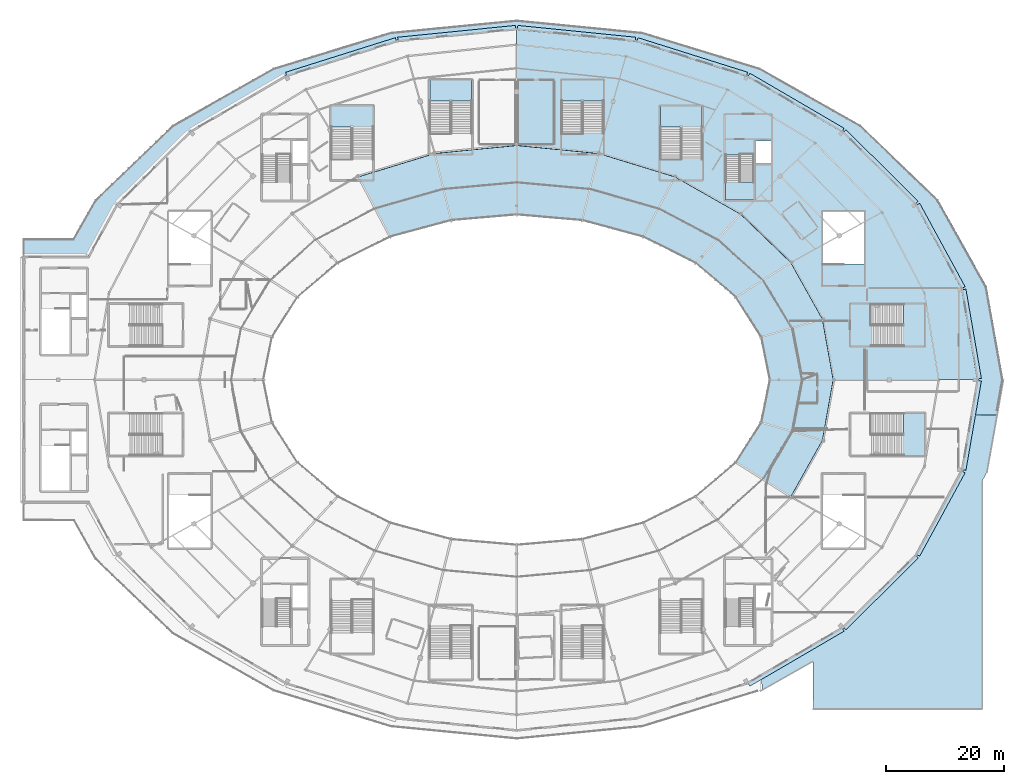
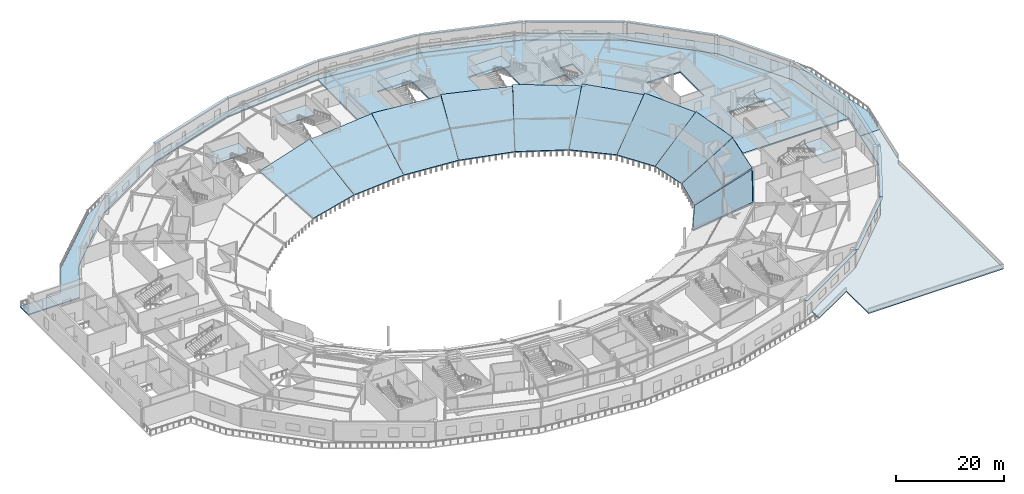
# One storey, part 17 of 63: 20 slabs, 12 plates, 7 elements without a shape of their own.
"""IFC4 building model written with IfcOpenShell, lengths in metres."""

from ifc_helpers import new_model, si_unit, direction, frame, origin, origin_2d, place, context, subcontext, project, spatial, polyline, rectangle, outline, extrude, material, layer, layer_set, type_object, element, aggregate, save


model = new_model("IFC4")

# Units and contexts
model_context = context("Model", 3, precision=1e-05, world=origin(), true_north=direction((0.0, 1.0)))
body_context = subcontext(model_context, "Body", "Model", "MODEL_VIEW")
ifc_project = project(units=[si_unit("LENGTHUNIT", "METRE"), si_unit("AREAUNIT", "SQUARE_METRE"), si_unit("VOLUMEUNIT", "CUBIC_METRE"), si_unit("PLANEANGLEUNIT", "RADIAN"), si_unit("MASSUNIT", "GRAM", prefix="KILO")], contexts=[model_context])

# Site, building, storey
site_placement = place(None, origin())
site = spatial("IfcSite", under=ifc_project, at=site_placement, CompositionType="ELEMENT")
building_placement = place(site_placement, origin())
building = spatial("IfcBuilding", under=site, at=building_placement, Name="Kalgoora Escarpment Arena", CompositionType="ELEMENT")
storey_placement = place(building_placement, frame((0.0, 0.0, 14.39990234375)))
storey = spatial("IfcBuildingStorey", under=building, at=storey_placement, Name="L03", CompositionType="ELEMENT", Elevation=14.39990234375)

# Plates
ifc_material_1 = material(Name="Champagne anodised Art Deco solar brise-soleil hood", Category="aluminium")
ifc_layer_1 = layer(ifc_material_1, 0.1201171875)
ifc_layer_set_1 = layer_set([ifc_layer_1], Name="PLT-DECO-EYEBROW")
plate_type = type_object("IfcPlateType", Name="PLT-DECO-EYEBROW", PredefinedType="SHEET", material=ifc_layer_set_1)
plate_1_placement = place(storey_placement, frame((62.537841796875, 118.904052734375, 3.97998046875), z_axis=(0.0, 0.0, 1.0), x_axis=(0.953769419285, 0.300539339916, 0.0)))
element("IfcPlate", 1, at=plate_1_placement, inside=storey, type_object=plate_type, Name="L03 Art Deco horizontal solar brise-soleil eyebrow 058", PredefinedType="SHEET", context=body_context, shape_type="SweptSolid", body=[
    extrude(rectangle(XDim=19.575927734375, YDim=0.719970703125, at=origin_2d()), origin(), (0.0, 0.0, 1.0), 0.1201171875),
])
for number, where, z_axis, x_axis, name in (
    (2, (82.21484375, 122.91552734375, 3.97998046875), (0.0, 0.0, 1.0), (0.995020840207, 0.099667083604, 0.0), "L03 Art Deco horizontal solar brise-soleil eyebrow 059"),
    (3, (102.585205078125, 122.91552734375, 3.97998046875), (0.0, 0.0, 1.0), (0.995020840207, -0.099667083604, 0.0), "L03 Art Deco horizontal solar brise-soleil eyebrow 060"),
):
    element("IfcPlate", number, at=place(storey_placement, frame(where, z_axis=z_axis, x_axis=x_axis)), inside=storey, type_object=plate_type, Name=name, PredefinedType="SHEET", context=body_context, shape_type="SweptSolid", body=[
        extrude(rectangle(XDim=20.14501953125, YDim=0.719970703125, at=origin_2d()), origin(), (0.0, 0.0, 1.0), 0.1201171875),
    ])
plate_2_placement = place(storey_placement, frame((122.26220703125, 118.904052734375, 3.97998046875), z_axis=(0.0, 0.0, 1.0), x_axis=(0.953769419285, -0.300539339916, 0.0)))
element("IfcPlate", 4, at=plate_2_placement, inside=storey, type_object=plate_type, Name="L03 Art Deco horizontal solar brise-soleil eyebrow 061", PredefinedType="SHEET", context=body_context, shape_type="SweptSolid", body=[
    extrude(rectangle(XDim=19.575927734375, YDim=0.719970703125, at=origin_2d()), origin(), (0.0, 0.0, 1.0), 0.1201171875),
])
plate_3_placement = place(storey_placement, frame((139.907470703125, 111.1533203125, 3.97998046875), z_axis=(0.0, 0.0, 1.0), x_axis=(0.863571611366, -0.504226211181, 0.0)))
element("IfcPlate", 5, at=plate_3_placement, inside=storey, type_object=plate_type, Name="L03 Art Deco horizontal solar brise-soleil eyebrow 062", PredefinedType="SHEET", context=body_context, shape_type="SweptSolid", body=[
    extrude(rectangle(XDim=18.550048828125, YDim=0.719970703125, at=origin_2d()), origin(), (0.0, 0.0, 1.0), 0.1201171875),
])
plate_4_placement = place(storey_placement, frame((154.319091796875, 100.1884765625, 3.97998046875), z_axis=(0.0, 0.0, 1.0), x_axis=(0.710062491058, -0.704138664464, 0.0)))
element("IfcPlate", 6, at=plate_4_placement, inside=storey, type_object=plate_type, Name="L03 Art Deco horizontal solar brise-soleil eyebrow 063", PredefinedType="SHEET", context=body_context, shape_type="SweptSolid", body=[
    extrude(rectangle(XDim=17.2900390625, YDim=0.719970703125, at=origin_2d()), origin(), (0.0, 0.0, 1.0), 0.1201171875),
])
plate_5_placement = place(storey_placement, frame((164.514404296875, 86.753173828125, 3.97998046875), z_axis=(0.0, 0.0, 1.0), x_axis=(0.478232081533, -0.878233497535, 0.0)))
element("IfcPlate", 7, at=plate_5_placement, inside=storey, type_object=plate_type, Name="L03 Art Deco horizontal solar brise-soleil eyebrow 064", PredefinedType="SHEET", context=body_context, shape_type="SweptSolid", body=[
    extrude(rectangle(XDim=16.1220703125, YDim=0.719970703125, at=origin_2d()), origin(), (0.0, 0.0, 1.0), 0.1201171875),
])
for number, where, z_axis, x_axis, name in (
    (8, (169.7939453125, 71.76171875, 3.97998046875), (0.0, 0.0, 1.0), (0.170553461035, -0.985348424127, 0.0), "L03 Art Deco horizontal solar brise-soleil eyebrow 065"),
    (9, (169.7939453125, 56.23828125, 3.97998046875), (0.0, 0.0, 1.0), (-0.170553461035, -0.985348424127, 0.0), "L03 Art Deco horizontal solar brise-soleil eyebrow 066"),
):
    element("IfcPlate", number, at=place(storey_placement, frame(where, z_axis=z_axis, x_axis=x_axis)), inside=storey, type_object=plate_type, Name=name, PredefinedType="SHEET", context=body_context, shape_type="SweptSolid", body=[
        extrude(rectangle(XDim=15.406982421875, YDim=0.719970703125, at=origin_2d()), origin(), (0.0, 0.0, 1.0), 0.1201171875),
    ])
plate_6_placement = place(storey_placement, frame((164.514404296875, 41.246826171875, 3.97998046875), z_axis=(0.0, 0.0, 1.0), x_axis=(-0.478232081533, -0.878233497535, 0.0)))
element("IfcPlate", 10, at=plate_6_placement, inside=storey, type_object=plate_type, Name="L03 Art Deco horizontal solar brise-soleil eyebrow 067", PredefinedType="SHEET", context=body_context, shape_type="SweptSolid", body=[
    extrude(rectangle(XDim=16.1220703125, YDim=0.719970703125, at=origin_2d()), origin(), (0.0, 0.0, 1.0), 0.1201171875),
])
plate_7_placement = place(storey_placement, frame((154.319091796875, 27.8115234375, 3.97998046875), z_axis=(0.0, 0.0, 1.0), x_axis=(-0.710062491058, -0.704138664464, 0.0)))
element("IfcPlate", 11, at=plate_7_placement, inside=storey, type_object=plate_type, Name="L03 Art Deco horizontal solar brise-soleil eyebrow 068", PredefinedType="SHEET", context=body_context, shape_type="SweptSolid", body=[
    extrude(rectangle(XDim=17.2900390625, YDim=0.719970703125, at=origin_2d()), origin(), (0.0, 0.0, 1.0), 0.1201171875),
])
plate_8_placement = place(storey_placement, frame((139.907470703125, 16.8466796875, 3.97998046875), z_axis=(0.0, 0.0, 1.0), x_axis=(-0.863571611366, -0.504226211181, 0.0)))
element("IfcPlate", 12, at=plate_8_placement, inside=storey, type_object=plate_type, Name="L03 Art Deco horizontal solar brise-soleil eyebrow 069", PredefinedType="SHEET", context=body_context, shape_type="SweptSolid", body=[
    extrude(rectangle(XDim=18.550048828125, YDim=0.719970703125, at=origin_2d()), origin(), (0.0, 0.0, 1.0), 0.1201171875),
])

# Slab
ifc_material_2 = material(Name="Concrete N40 (fc' 40 MPa)", Category="concrete")
ifc_layer_2 = layer(ifc_material_2, 0.239990234375)
ifc_layer_set_2 = layer_set([ifc_layer_2], Name="SLB-ROOF-240")
slab_type_1 = type_object("IfcSlabType", Name="SLB-ROOF-240", PredefinedType="ROOF", material=ifc_layer_set_2)
slab_1_placement = place(storey_placement, frame((0.0, 0.0, -0.239990234375)))
element("IfcSlab", 13, at=slab_1_placement, inside=storey, type_object=slab_type_1, Name="L03 stepped podium roof slab 1", PredefinedType="ROOF", context=body_context, shape_type="SweptSolid", body=[
    extrude(outline(polyline([(134.1494140625, 11.197265625), (134.0341796875, 13.572265625), (147.978515625, 21.715087890625), (160.469482421875, 34.10009765625), (168.32177734375, 48.522705078125), (169.956787109375, 57.9453125), (174.07470703125, 57.977783203125), (172.381591796875, 48.177001953125), (171.60009765625, 46.768310546875), (171.577392578125, 8.03662109375), (142.87109375, 8.00439453125), (142.7998046875, 16.103515625), (134.1494140625, 11.197265625)])), origin(), (0.0, 0.0, 1.0), 0.239990234375),
])

# Stair, slab
ifc_material_3 = material(Name="Concrete N40 (fc' 40 MPa)", Category="concrete")
stair_type_1 = type_object("IfcStairType", Name="STR-EXIT-4", PredefinedType="HALF_TURN_STAIR", material=ifc_material_3)
stair_1_placement = place(storey_placement, origin())
stair_1 = element("IfcStair", 14, at=stair_1_placement, inside=storey, type_object=stair_type_1, Name="Fire-isolated exit stair ST04 (L03)", PredefinedType="HALF_TURN_STAIR")
ifc_material_4 = material(Name="Concrete N40 (fc' 40 MPa)", Category="concrete")
ifc_layer_3 = layer(ifc_material_4, 0.219970703125)
ifc_layer_set_3 = layer_set([ifc_layer_3], Name="SLB-ST-LAND-220")
slab_type_2 = type_object("IfcSlabType", Name="SLB-ST-LAND-220", PredefinedType="LANDING", material=ifc_layer_set_3)
slab_2_placement = place(storey_placement, frame((0.0, 0.0, 2.030029296875)))
slab_2 = element("IfcSlab", 15, at=slab_2_placement, type_object=slab_type_2, Name="ST04 L03 half-landing", PredefinedType="LANDING", context=body_context, shape_type="SweptSolid", body=[
    extrude(outline(polyline([(132.75, 97.639892578125), (132.75, 94.550048828125), (127.949951171875, 94.550048828125), (127.949951171875, 97.639892578125), (132.75, 97.639892578125)])), origin(), (0.0, 0.0, 1.0), 0.219970703125),
])
aggregate(stair_1, [slab_2])

ifc_material_5 = material(Name="Precast concrete N50 (fc' 50 MPa)", Category="concrete")
stair_type_2 = type_object("IfcStairType", Name="STR-STAD-1", PredefinedType="HALF_TURN_STAIR", material=ifc_material_5)
stair_2_placement = place(storey_placement, origin())
stair_2 = element("IfcStair", 16, at=stair_2_placement, inside=storey, type_object=stair_type_2, Name="Fire-isolated exit stair ST09 (L03)", PredefinedType="HALF_TURN_STAIR")
slab_3_placement = place(storey_placement, frame((0.0, 0.0, 2.030029296875)))
slab_3 = element("IfcSlab", 17, at=slab_3_placement, type_object=slab_type_2, Name="ST09 L03 half-landing", PredefinedType="LANDING", context=body_context, shape_type="SweptSolid", body=[
    extrude(outline(polyline([(60.85009765625, 107.0), (60.85009765625, 110.550048828125), (67.949951171875, 110.550048828125), (67.949951171875, 107.0), (60.85009765625, 107.0)])), origin(), (0.0, 0.0, 1.0), 0.219970703125),
])
aggregate(stair_2, [slab_3])

ifc_material_6 = material(Name="Precast concrete N50 (fc' 50 MPa)", Category="concrete")
stair_type_3 = type_object("IfcStairType", Name="STR-STAD-2", PredefinedType="HALF_TURN_STAIR", material=ifc_material_6)
stair_3_placement = place(storey_placement, origin())
stair_3 = element("IfcStair", 18, at=stair_3_placement, inside=storey, type_object=stair_type_3, Name="Fire-isolated exit stair ST10 (L03)", PredefinedType="HALF_TURN_STAIR")
slab_4_placement = place(storey_placement, frame((0.0, 0.0, 2.030029296875)))
slab_4 = element("IfcSlab", 19, at=slab_4_placement, type_object=slab_type_2, Name="ST10 L03 half-landing", PredefinedType="LANDING", context=body_context, shape_type="SweptSolid", body=[
    extrude(outline(polyline([(77.64990234375, 111.39990234375), (77.64990234375, 114.949951171875), (84.75, 114.949951171875), (84.75, 111.39990234375), (77.64990234375, 111.39990234375)])), origin(), (0.0, 0.0, 1.0), 0.219970703125),
])
aggregate(stair_3, [slab_4])

ifc_material_7 = material(Name="Precast concrete N50 (fc' 50 MPa)", Category="concrete")
stair_type_4 = type_object("IfcStairType", Name="STR-STAD-3", PredefinedType="HALF_TURN_STAIR", material=ifc_material_7)
stair_4_placement = place(storey_placement, origin())
stair_4 = element("IfcStair", 20, at=stair_4_placement, inside=storey, type_object=stair_type_4, Name="Fire-isolated exit stair ST11 (L03)", PredefinedType="HALF_TURN_STAIR")
slab_5_placement = place(storey_placement, frame((0.0, 0.0, 2.030029296875)))
slab_5 = element("IfcSlab", 21, at=slab_5_placement, type_object=slab_type_2, Name="ST11 L03 half-landing", PredefinedType="LANDING", context=body_context, shape_type="SweptSolid", body=[
    extrude(outline(polyline([(100.050048828125, 111.39990234375), (100.050048828125, 114.949951171875), (107.14990234375, 114.949951171875), (107.14990234375, 111.39990234375), (100.050048828125, 111.39990234375)])), origin(), (0.0, 0.0, 1.0), 0.219970703125),
])
aggregate(stair_4, [slab_5])

ifc_material_8 = material(Name="Precast concrete N50 (fc' 50 MPa)", Category="concrete")
stair_type_5 = type_object("IfcStairType", Name="STR-STAD-4", PredefinedType="HALF_TURN_STAIR", material=ifc_material_8)
stair_5_placement = place(storey_placement, origin())
stair_5 = element("IfcStair", 22, at=stair_5_placement, inside=storey, type_object=stair_type_5, Name="Fire-isolated exit stair ST12 (L03)", PredefinedType="HALF_TURN_STAIR")
slab_6_placement = place(storey_placement, frame((0.0, 0.0, 2.030029296875)))
slab_6 = element("IfcSlab", 23, at=slab_6_placement, type_object=slab_type_2, Name="ST12 L03 half-landing", PredefinedType="LANDING", context=body_context, shape_type="SweptSolid", body=[
    extrude(outline(polyline([(116.85009765625, 107.0), (116.85009765625, 110.550048828125), (123.949951171875, 110.550048828125), (123.949951171875, 107.0), (116.85009765625, 107.0)])), origin(), (0.0, 0.0, 1.0), 0.219970703125),
])
aggregate(stair_5, [slab_6])

stair_6_placement = place(storey_placement, origin())
stair_6 = element("IfcStair", 24, at=stair_6_placement, inside=storey, type_object=stair_type_2, Name="Fire-isolated exit stair ST21 (L03)", PredefinedType="HALF_TURN_STAIR")
slab_7_placement = place(storey_placement, frame((0.0, 0.0, 2.030029296875)))
slab_7 = element("IfcSlab", 25, at=slab_7_placement, type_object=slab_type_2, Name="ST21 L03 half-landing", PredefinedType="LANDING", context=body_context, shape_type="SweptSolid", body=[
    extrude(outline(polyline([(158.199951171875, 76.85009765625), (161.75, 76.85009765625), (161.75, 69.75), (158.199951171875, 69.75), (158.199951171875, 76.85009765625)])), origin(), (0.0, 0.0, 1.0), 0.219970703125),
])
aggregate(stair_6, [slab_7])

stair_7_placement = place(storey_placement, origin())
stair_7 = element("IfcStair", 26, at=stair_7_placement, inside=storey, type_object=stair_type_3, Name="Fire-isolated exit stair ST22 (L03)", PredefinedType="HALF_TURN_STAIR")
slab_8_placement = place(storey_placement, frame((0.0, 0.0, 2.030029296875)))
slab_8 = element("IfcSlab", 27, at=slab_8_placement, type_object=slab_type_2, Name="ST22 L03 half-landing", PredefinedType="LANDING", context=body_context, shape_type="SweptSolid", body=[
    extrude(outline(polyline([(158.199951171875, 58.25), (161.75, 58.25), (161.75, 51.14990234375), (158.199951171875, 51.14990234375), (158.199951171875, 58.25)])), origin(), (0.0, 0.0, 1.0), 0.219970703125),
])
aggregate(stair_7, [slab_8])

# Slabs
ifc_material_9 = material(Name="Concrete N40 (fc' 40 MPa)", Category="concrete")
ifc_layer_4 = layer(ifc_material_9, 0.235107421875)
ifc_layer_set_4 = layer_set([ifc_layer_4], Name="SLB-TERR-235")
slab_type_3 = type_object("IfcSlabType", Name="SLB-TERR-235", PredefinedType="FLOOR", material=ifc_layer_set_4)
slab_9_placement = place(storey_placement, frame((0.0, 0.0, -0.23486328125)))
element("IfcSlab", 28, at=slab_9_placement, inside=storey, type_object=slab_type_3, Name="L03 Upper Planted Elliptical Garden Terrace terrace slab", PredefinedType="FLOOR", context=body_context, shape_type="SweptSolid", body=[
    extrude(outline(polyline([(168.32177734375, 79.477294921875), (160.469482421875, 93.89990234375), (147.978515625, 106.284912109375), (131.699951171875, 115.788330078125), (112.7431640625, 121.762451171875), (92.39990234375, 123.800048828125), (72.056884765625, 121.762451171875), (53.10009765625, 115.788330078125), (36.8212890625, 106.284912109375), (24.330322265625, 93.89990234375), (19.48486328125, 85.0), (8.39990234375, 85.0), (8.39990234375, 88.0), (16.994384765625, 88.0), (20.693115234375, 94.60009765625), (33.8515625, 107.27490234375), (51.0, 117.000732421875), (70.9697265625, 123.11474609375), (92.39990234375, 125.199951171875), (113.830078125, 123.11474609375), (133.800048828125, 117.000732421875), (150.948486328125, 107.27490234375), (164.10693359375, 94.60009765625), (172.378662109375, 79.839599609375), (175.199951171875, 64.0), (174.13134765625, 58.0), (169.9619140625, 58.0), (171.0, 64.0), (168.32177734375, 79.477294921875)])), origin(), (0.0, 0.0, 1.0), 0.23486328125),
])
ifc_material_10 = material(Name="Precast concrete N50 (fc' 50 MPa)", Category="concrete")
ifc_layer_5 = layer(ifc_material_10, 0.330078125)
ifc_layer_set_5 = layer_set([ifc_layer_5], Name="SLB-TIER-UPP-A")
slab_type_4 = type_object("IfcSlabType", Name="SLB-TIER-UPP-A", PredefinedType="USERDEFINED", material=ifc_layer_set_5)
slab_10_placement = place(storey_placement, frame((135.39990234375, 64.0, -2.25), z_axis=(-0.518552545554, -0.104844261515, 0.848593505942), x_axis=(-0.198164910245, 0.980168693795, 7.240467e-06)))
element("IfcSlab", 29, at=slab_10_placement, inside=storey, type_object=slab_type_4, Name="Stand Upper Tier Sector 01", ObjectType="SEATING TIER", PredefinedType="USERDEFINED", context=body_context, shape_type="SweptSolid", body=[
    extrude(outline(polyline([(0.0, 0.0), (7.39344115339055, 0.0), (8.32299080358504, -12.821475327524292), (-2.1500606229834083, -12.5323757475681), (0.0, 0.0)])), origin(), (0.0, 0.0, -1.0), 0.330078125),
])
slab_11_placement = place(storey_placement, frame((129.63916015625, 78.0, -2.25), z_axis=(-0.343183615689, -0.404396181283, 0.847755114692), x_axis=(-0.762455788608, 0.647040315911, -2.007003e-06)))
element("IfcSlab", 30, at=slab_11_placement, inside=storey, type_object=slab_type_4, Name="Stand Upper Tier Sector 03", ObjectType="SEATING TIER", PredefinedType="USERDEFINED", context=body_context, shape_type="SweptSolid", body=[
    extrude(outline(polyline([(0.0, 0.0), (8.962472203850195, 4.440892098500626e-16), (8.534454414698997, -13.391710248469764), (-3.330485598997086, -12.500479320679283), (0.0, 0.0)])), origin(), (0.0, 0.0, -1.0), 0.330078125),
])
slab_12_placement = place(storey_placement, frame((113.89990234375, 88.248779296875, -2.25), z_axis=(-0.131606396069, -0.487922555052, 0.862908649154), x_axis=(-0.965497290115, 0.260413100203, -4.85978e-06)))
element("IfcSlab", 31, at=slab_12_placement, inside=storey, type_object=slab_type_4, Name="Stand Upper Tier Sector 05", ObjectType="SEATING TIER", PredefinedType="USERDEFINED", context=body_context, shape_type="SweptSolid", body=[
    extrude(outline(polyline([(0.0, 0.0), (10.741197943975278, 4.440892098500626e-16), (11.010709809742815, -13.65451367695202), (-2.5654890153233616, -13.119485411513963), (0.0, 0.0)])), origin(), (0.0, 0.0, -1.0), 0.330078125),
])
slab_13_placement = place(storey_placement, frame((92.39990234375, 92.0, -2.25), z_axis=(0.041820191517, -0.487842066085, 0.871929578658), x_axis=(-0.99634542413, -0.085415430755, -2.160451e-06)))
element("IfcSlab", 32, at=slab_13_placement, inside=storey, type_object=slab_type_4, Name="Stand Upper Tier Sector 07", ObjectType="SEATING TIER", PredefinedType="USERDEFINED", context=body_context, shape_type="SweptSolid", body=[
    extrude(outline(polyline([(0.0, 0.0), (11.169973062095876, 1.1102230246251565e-16), (12.990112258747489, -13.354633220979032), (-1.0121955198565427, -13.541006539620039), (0.0, 0.0)])), origin(), (0.0, 0.0, -1.0), 0.330078125),
])
slab_14_placement = place(storey_placement, frame((129.63916015625, 50.0, -2.25), z_axis=(-0.432440598542, 0.275074010018, 0.858678879294), x_axis=(0.536714026841, 0.843764216705, -7.82115e-07)))
element("IfcSlab", 33, at=slab_14_placement, inside=storey, type_object=slab_type_4, Name="Stand Upper Tier Sector 23", ObjectType="SEATING TIER", PredefinedType="USERDEFINED", context=body_context, shape_type="SweptSolid", body=[
    extrude(outline(polyline([(0.0, 0.0), (8.00362434095204, 0.0), (11.040561137826039, -12.21528952510442), (0.04374456444209946, -12.936467987257426), (0.0, 0.0)])), origin(), (0.0, 0.0, -1.0), 0.330078125),
])
ifc_material_11 = material(Name="Precast concrete N50 (fc' 50 MPa)", Category="concrete")
ifc_layer_6 = layer(ifc_material_11, 0.35009765625)
ifc_layer_set_6 = layer_set([ifc_layer_6], Name="SLB-TIER-UPP-B")
slab_type_5 = type_object("IfcSlabType", Name="SLB-TIER-UPP-B", PredefinedType="USERDEFINED", material=ifc_layer_set_6)
slab_15_placement = place(storey_placement, frame((133.934814453125, 71.246826171875, -2.25), z_axis=(-0.450831621018, -0.286780084675, 0.84528576974), x_axis=(-0.536716954789, 0.843762354223, 6.22823e-06)))
element("IfcSlab", 34, at=slab_15_placement, inside=storey, type_object=slab_type_5, Name="Stand Upper Tier Sector 02", ObjectType="SEATING TIER", PredefinedType="USERDEFINED", context=body_context, shape_type="SweptSolid", body=[
    extrude(outline(polyline([(0.0, 0.0), (8.0036243407381, 4.440892098500626e-16), (7.959879776722713, -13.141472212599913), (-3.0369367973830563, -12.408789054345238), (0.0, 0.0)])), origin(), (0.0, 0.0, -1.0), 0.35009765625),
])
slab_16_placement = place(storey_placement, frame((122.8056640625, 83.799072265625, -2.25), z_axis=(-0.231890423687, -0.464116875469, 0.854881487288), x_axis=(-0.894555216832, 0.446957452153, 1.997843e-06)))
element("IfcSlab", 35, at=slab_16_placement, inside=storey, type_object=slab_type_5, Name="Stand Upper Tier Sector 04", ObjectType="SEATING TIER", PredefinedType="USERDEFINED", context=body_context, shape_type="SweptSolid", body=[
    extrude(outline(polyline([(0.0, 0.0), (9.955525322883135, 8.881784197001252e-16), (9.689303571014797, -13.574851112684247), (-3.117997245649485, -12.779211633226485), (0.0, 0.0)])), origin(), (0.0, 0.0, -1.0), 0.35009765625),
])
slab_17_placement = place(storey_placement, frame((103.529296875, 91.0458984375, -2.25), z_axis=(-0.042262848742, -0.492993554132, 0.869005872938), x_axis=(-0.996345502679, 0.08541451452, 4.66985e-07)))
element("IfcSlab", 36, at=slab_17_placement, inside=storey, type_object=slab_type_5, Name="Stand Upper Tier Sector 06", ObjectType="SEATING TIER", PredefinedType="USERDEFINED", context=body_context, shape_type="SweptSolid", body=[
    extrude(outline(polyline([(0.0, 0.0), (11.170216310517281, -1.1102230246251565e-16), (12.182389788214078, -13.58655314527334), (-1.8201609353450428, -13.39957414285593), (0.0, 0.0)])), origin(), (0.0, 0.0, -1.0), 0.35009765625),
])
slab_18_placement = place(storey_placement, frame((81.270751953125, 91.0458984375, -2.25), z_axis=(0.127705893821, -0.473478719863, 0.87149819651), x_axis=(-0.965499070539, -0.260406499105, 3.426221e-06)))
element("IfcSlab", 37, at=slab_18_placement, inside=storey, type_object=slab_type_5, Name="Stand Upper Tier Sector 08", ObjectType="SEATING TIER", PredefinedType="USERDEFINED", context=body_context, shape_type="SweptSolid", body=[
    extrude(outline(polyline([(0.0, 0.0), (10.741433661543558, -4.440892098500626e-16), (13.306753965346726, -12.990074450815953), (-0.26944212617731655, -13.519947262446815), (0.0, 0.0)])), origin(), (0.0, 0.0, -1.0), 0.35009765625),
])
slab_19_placement = place(storey_placement, frame((133.934814453125, 56.753173828125, -2.25), z_axis=(-0.51004431471, 0.103125811532, 0.853943712447), x_axis=(0.198165665325, 0.980168541125, -8.67185e-06)))
element("IfcSlab", 38, at=slab_19_placement, inside=storey, type_object=slab_type_5, Name="Stand Upper Tier Sector 24", ObjectType="SEATING TIER", PredefinedType="USERDEFINED", context=body_context, shape_type="SweptSolid", body=[
    extrude(outline(polyline([(0.0, 0.0), (7.393441153278449, -2.220446049250313e-16), (9.543501776518662, -12.453848147486106), (-0.9295496504327888, -12.741152551938079), (0.0, 0.0)])), origin(), (0.0, 0.0, -1.0), 0.35009765625),
])
ifc_material_12 = material(Name="Concrete N40 (fc' 40 MPa)", Category="concrete")
ifc_layer_7 = layer(ifc_material_12, 0.300048828125)
ifc_layer_set_7 = layer_set([ifc_layer_7], Name="SLB-UPPER-300")
slab_type_6 = type_object("IfcSlabType", Name="SLB-UPPER-300", PredefinedType="FLOOR", material=ifc_layer_set_7)
slab_20_placement = place(storey_placement, frame((0.0, 0.0, -0.2998046875)))
element("IfcSlab", 39, at=slab_20_placement, inside=storey, type_object=slab_type_6, Name="L03 concourse ring NE floor slab", PredefinedType="FLOOR", context=body_context, shape_type="SweptSolid", body=[
    extrude(outline(polyline([(112.7431640625, 121.762451171875), (131.699951171875, 115.788330078125), (147.978515625, 106.284912109375), (160.469482421875, 93.89990234375), (168.32177734375, 79.477294921875), (171.0, 64.0), (140.800048828125, 64.0), (139.15087890625, 72.64453125), (134.315673828125, 80.699951171875), (126.6240234375, 87.617431640625), (116.60009765625, 92.92529296875), (104.9267578125, 96.261962890625), (92.39990234375, 97.39990234375), (92.39990234375, 123.800048828125), (112.7431640625, 121.762451171875)]), holes=[polyline([(152.85009765625, 76.85009765625), (152.85009765625, 69.75), (161.75, 69.75), (161.75, 76.85009765625), (152.85009765625, 76.85009765625)]), polyline([(151.550048828125, 92.550048828125), (144.449951171875, 92.550048828125), (144.449951171875, 83.64990234375), (151.550048828125, 83.64990234375), (151.550048828125, 92.550048828125)]), polyline([(132.75, 102.25), (127.949951171875, 102.25), (127.949951171875, 94.550048828125), (132.75, 94.550048828125), (132.75, 102.25)]), polyline([(135.64990234375, 104.60009765625), (133.050048828125, 104.60009765625), (133.050048828125, 100.800048828125), (135.64990234375, 100.800048828125), (135.64990234375, 104.60009765625)]), polyline([(123.949951171875, 110.550048828125), (116.85009765625, 110.550048828125), (116.85009765625, 101.64990234375), (123.949951171875, 101.64990234375), (123.949951171875, 110.550048828125)]), polyline([(107.14990234375, 114.949951171875), (100.050048828125, 114.949951171875), (100.050048828125, 106.050048828125), (107.14990234375, 106.050048828125), (107.14990234375, 114.949951171875)])]), origin(), (0.0, 0.0, 1.0), 0.2998046875),
])

save(model, "model.ifc")
